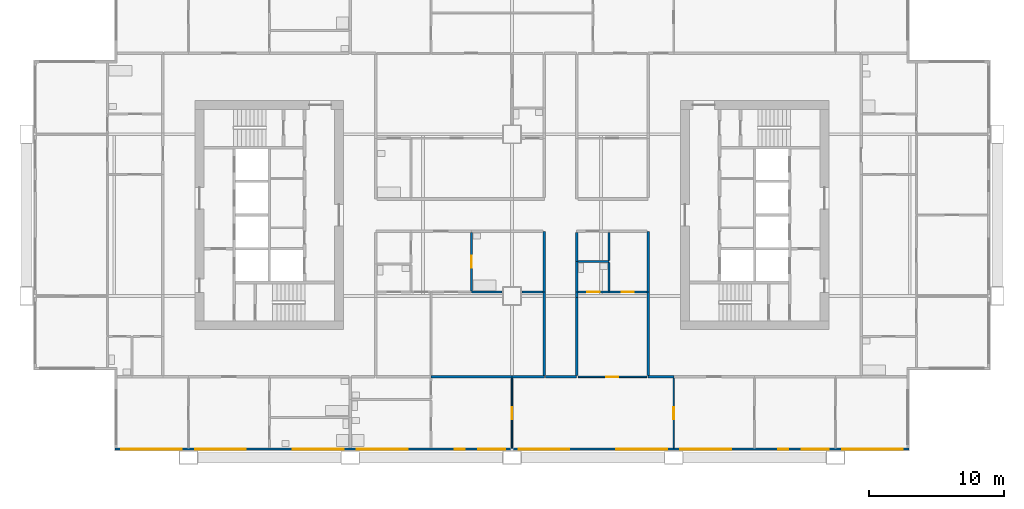
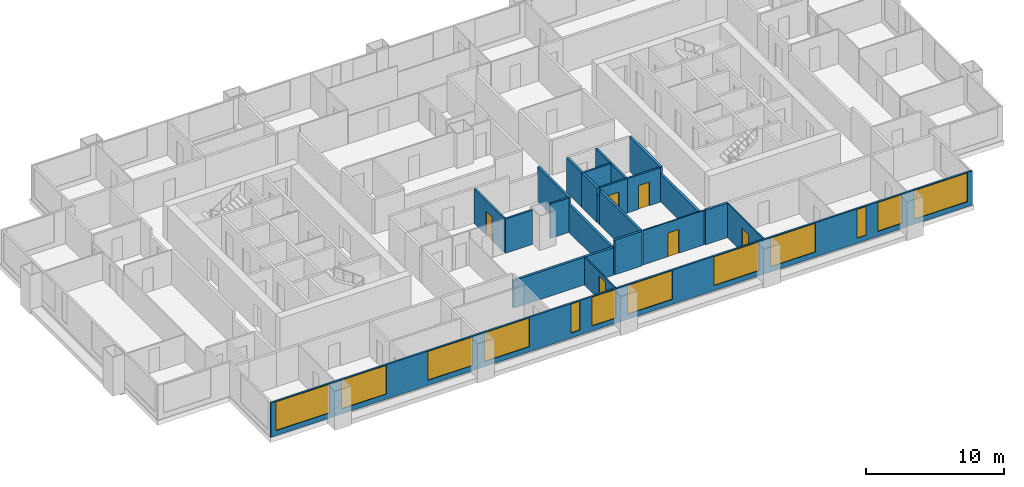
# One storey, part 5 of 11: 24 walls, 12 windows, 6 doors, 18 openings.
"""IFC4 building model written with IfcOpenShell, lengths in metres."""

from ifc_helpers import new_model, si_unit, direction, frame, frame_2d, origin, place, context, subcontext, project, spatial, rectangle, extrude, material, layer, layer_set, type_object, element, fill, save


model = new_model("IFC4")

# Units and contexts
model_context = context("Model", 3, precision=1e-05, world=origin(), true_north=direction((0.0, 1.0)))
body_context = subcontext(model_context, "Body", "Model", "MODEL_VIEW")
ifc_project = project(units=[si_unit("LENGTHUNIT", "METRE"), si_unit("AREAUNIT", "SQUARE_METRE"), si_unit("VOLUMEUNIT", "CUBIC_METRE"), si_unit("PLANEANGLEUNIT", "RADIAN"), si_unit("MASSUNIT", "GRAM", prefix="KILO")], contexts=[model_context])

# Site, building, storey
site_placement = place(None, origin())
site = spatial("IfcSite", under=ifc_project, at=site_placement, CompositionType="ELEMENT")
building_placement = place(site_placement, origin())
building = spatial("IfcBuilding", under=site, at=building_placement, Name="Kitamizu Gate Tower and Museum", CompositionType="ELEMENT")
storey_placement = place(building_placement, frame((0.0, 0.0, 141.449951171875)))
storey = spatial("IfcBuildingStorey", under=building, at=storey_placement, Name="L37", CompositionType="ELEMENT", Elevation=141.449951171875)

# Wall, opening, door
ifc_material_1 = material(Name="Gypsum board on galvanised stud")
ifc_layer_1 = layer(ifc_material_1, 0.10009765625)
ifc_layer_set_1 = layer_set([ifc_layer_1], Name="Gypsum board on galvanised stud")
wall_type_1 = type_object("IfcWallType", Name="Partition 100 NOT RATED", PredefinedType="PARTITIONING", material=ifc_layer_set_1)
wall_1_placement = place(storey_placement, frame((36.0, 12.719970703125, 0.0), z_axis=(0.0, 0.0, 1.0), x_axis=(0.0, 1.0, 0.0)))
wall_1 = element("IfcWall", 1, at=wall_1_placement, inside=storey, type_object=wall_type_1, Name="Partition L37-060", PredefinedType="PARTITIONING", context=body_context, shape_type="SweptSolid", body=[
    extrude(rectangle(XDim=5.179931640625, YDim=0.10009765625, at=frame_2d((2.58984375, 0.0))), origin(), (0.0, 0.0, 1.0), 2.449951171875),
])
opening_1_placement = place(wall_1_placement, frame((2.139892578125, 0.0, 0.0)))
opening_1 = element("IfcOpeningElement", 2, at=opening_1_placement, cuts=wall_1, Name="Opening L37-021", PredefinedType="OPENING", context=body_context, shape_type="SweptSolid", body=[
    extrude(rectangle(XDim=0.89990234375, YDim=2.10009765625, at=frame_2d((0.449951171875, 1.050048828125))), frame((0.0, 0.06005859375, 0.0), z_axis=(0.0, -1.0, 0.0), x_axis=(1.0, 0.0, 0.0)), (0.0, 0.0, 1.0), 0.1201171875),
])
ifc_material_2 = material(Name="Timber door set", Category="wood")
door_type_1 = type_object("IfcDoorType", Name="Room door 900", OperationType="NOTDEFINED", PredefinedType="DOOR", material=ifc_material_2)
door_1_placement = place(opening_1_placement, origin())
door_1 = element("IfcDoor", 3, at=door_1_placement, inside=storey, type_object=door_type_1, Name="Door L37-021", OperationType="SINGLE_SWING_LEFT", OverallHeight=2.10009765625, OverallWidth=0.89990234375, PredefinedType="DOOR", context=body_context, shape_type="SweptSolid", body=[
    extrude(rectangle(XDim=0.89990234375, YDim=2.10009765625, at=frame_2d((0.449951171875, 1.050048828125))), frame((0.0, 0.02490234375, 0.0), z_axis=(0.0, -1.0, 0.0), x_axis=(1.0, 0.0, 0.0)), (0.0, 0.0, 1.0), 0.050048828125),
])
fill(opening_1, door_1)

wall_2_placement = place(storey_placement, frame((48.0, 12.719970703125, 0.0), z_axis=(0.0, 0.0, 1.0), x_axis=(0.0, 1.0, 0.0)))
wall_2 = element("IfcWall", 4, at=wall_2_placement, inside=storey, type_object=wall_type_1, Name="Partition L37-061", PredefinedType="PARTITIONING", context=body_context, shape_type="SweptSolid", body=[
    extrude(rectangle(XDim=5.179931640625, YDim=0.10009765625, at=frame_2d((2.58984375, 0.0))), origin(), (0.0, 0.0, 1.0), 3.050048828125),
])
opening_2_placement = place(wall_2_placement, frame((2.139892578125, 0.0, 0.0)))
opening_2 = element("IfcOpeningElement", 5, at=opening_2_placement, cuts=wall_2, Name="Opening L37-020", PredefinedType="OPENING", context=body_context, shape_type="SweptSolid", body=[
    extrude(rectangle(XDim=0.89990234375, YDim=2.10009765625, at=frame_2d((0.449951171875, 1.050048828125))), frame((0.0, 0.06005859375, 0.0), z_axis=(0.0, -1.0, 0.0), x_axis=(1.0, 0.0, 0.0)), (0.0, 0.0, 1.0), 0.1201171875),
])
door_2_placement = place(opening_2_placement, origin())
door_2 = element("IfcDoor", 6, at=door_2_placement, inside=storey, type_object=door_type_1, Name="Door L37-020", OperationType="SINGLE_SWING_RIGHT", OverallHeight=2.10009765625, OverallWidth=0.89990234375, PredefinedType="DOOR", context=body_context, shape_type="SweptSolid", body=[
    extrude(rectangle(XDim=0.89990234375, YDim=2.10009765625, at=frame_2d((0.449951171875, 1.050048828125))), frame((0.0, 0.02490234375, 0.0), z_axis=(0.0, -1.0, 0.0), x_axis=(1.0, 0.0, 0.0)), (0.0, 0.0, 1.0), 0.050048828125),
])
fill(opening_2, door_2)

wall_3_placement = place(storey_placement, frame((46.0, 18.0, 0.0), z_axis=(0.0, 0.0, 1.0), x_axis=(-1.0, 0.0, 0.0)))
wall_3 = element("IfcWall", 7, at=wall_3_placement, inside=storey, type_object=wall_type_1, Name="Partition L37-062", PredefinedType="PARTITIONING", context=body_context, shape_type="SweptSolid", body=[
    extrude(rectangle(XDim=5.10009765625, YDim=0.10009765625, at=frame_2d((2.550048828125, 0.0))), origin(), (0.0, 0.0, 1.0), 3.050048828125),
])
opening_3_placement = place(wall_3_placement, frame((2.10009765625, 0.0, 0.0)))
opening_3 = element("IfcOpeningElement", 8, at=opening_3_placement, cuts=wall_3, Name="Opening L37-025", PredefinedType="OPENING", context=body_context, shape_type="SweptSolid", body=[
    extrude(rectangle(XDim=0.89990234375, YDim=2.10009765625, at=frame_2d((0.449951171875, 1.050048828125))), frame((0.0, 0.06005859375, 0.0), z_axis=(0.0, -1.0, 0.0), x_axis=(1.0, 0.0, 0.0)), (0.0, 0.0, 1.0), 0.1201171875),
])
door_3_placement = place(opening_3_placement, frame((0.89990234375, 0.0, 0.0), x_axis=(-1.0, 0.0, 0.0)))
door_3 = element("IfcDoor", 9, at=door_3_placement, inside=storey, type_object=door_type_1, Name="Door L37-025", OperationType="SINGLE_SWING_RIGHT", OverallHeight=2.10009765625, OverallWidth=0.89990234375, PredefinedType="DOOR", context=body_context, shape_type="SweptSolid", body=[
    extrude(rectangle(XDim=0.89990234375, YDim=2.10009765625, at=frame_2d((0.449951171875, 1.050048828125))), frame((0.0, 0.02490234375, 0.0), z_axis=(0.0, -1.0, 0.0), x_axis=(1.0, 0.0, 0.0)), (0.0, 0.0, 1.0), 0.050048828125),
])
fill(opening_3, door_3)

# Walls
ifc_material_3 = material(Name="Gypsum board on galvanised stud")
ifc_layer_2 = layer(ifc_material_3, 0.14990234375)
ifc_layer_set_2 = layer_set([ifc_layer_2], Name="Gypsum board on galvanised stud")
wall_type_2 = type_object("IfcWallType", Name="Partition 150", PredefinedType="PARTITIONING", material=ifc_layer_set_2)
wall_4_placement = place(storey_placement, frame((35.25, 24.300048828125, 0.0), z_axis=(0.0, 0.0, 1.0), x_axis=(-1.0, 0.0, 0.0)))
element("IfcWall", 10, at=wall_4_placement, inside=storey, type_object=wall_type_2, Name="Partition L37-040", PredefinedType="PARTITIONING", context=body_context, shape_type="SweptSolid", body=[
    extrude(rectangle(XDim=2.25, YDim=0.14990234375, at=frame_2d((1.125, 0.0))), origin(), (0.0, 0.0, 1.0), 3.050048828125),
])
wall_5_placement = place(storey_placement, frame((38.300048828125, 24.300048828125, 0.0), z_axis=(0.0, 0.0, 1.0), x_axis=(-1.0, 0.0, 0.0)))
element("IfcWall", 11, at=wall_5_placement, inside=storey, type_object=wall_type_2, Name="Partition L37-041", PredefinedType="PARTITIONING", context=body_context, shape_type="SweptSolid", body=[
    extrude(rectangle(XDim=1.550048828125, YDim=0.14990234375, at=frame_2d((0.77490234375, 0.0))), origin(), (0.0, 0.0, 1.0), 3.050048828125),
])

# Wall, opening, door
wall_6_placement = place(storey_placement, frame((33.0, 24.375, 0.0), z_axis=(0.0, 0.0, 1.0), x_axis=(0.0, 1.0, 0.0)))
wall_6 = element("IfcWall", 12, at=wall_6_placement, inside=storey, type_object=wall_type_2, Name="Partition L37-051", PredefinedType="PARTITIONING", context=body_context, shape_type="SweptSolid", body=[
    extrude(rectangle(XDim=4.324951171875, YDim=0.14990234375, at=frame_2d((2.16259765625, 0.0))), origin(), (0.0, 0.0, 1.0), 3.050048828125),
])
opening_4_placement = place(wall_6_placement, frame((1.71240234375, 0.0, 0.0)))
opening_4 = element("IfcOpeningElement", 13, at=opening_4_placement, cuts=wall_6, Name="Opening L37-018", PredefinedType="OPENING", context=body_context, shape_type="SweptSolid", body=[
    extrude(rectangle(XDim=0.89990234375, YDim=2.10009765625, at=frame_2d((0.449951171875, 1.050048828125))), frame((0.0, 0.0849609375, 0.0), z_axis=(0.0, -1.0, 0.0), x_axis=(1.0, 0.0, 0.0)), (0.0, 0.0, 1.0), 0.169921875),
])
ifc_material_4 = material(Name="Timber door set", Category="wood")
door_type_2 = type_object("IfcDoorType", Name="Bathroom door 900", OperationType="NOTDEFINED", PredefinedType="DOOR", material=ifc_material_4)
door_4_placement = place(opening_4_placement, frame((0.89990234375, 0.0, 0.0), x_axis=(-1.0, 0.0, 0.0)))
door_4 = element("IfcDoor", 14, at=door_4_placement, inside=storey, type_object=door_type_2, Name="Bathroom door L37-018", OperationType="SINGLE_SWING_LEFT", OverallHeight=2.10009765625, OverallWidth=0.89990234375, PredefinedType="DOOR", context=body_context, shape_type="SweptSolid", body=[
    extrude(rectangle(XDim=0.89990234375, YDim=2.10009765625, at=frame_2d((0.449951171875, 1.050048828125))), frame((0.0, 0.02490234375, 0.0), z_axis=(0.0, -1.0, 0.0), x_axis=(1.0, 0.0, 0.0)), (0.0, 0.0, 1.0), 0.050048828125),
])
fill(opening_4, door_4)

wall_7_placement = place(storey_placement, frame((43.199951171875, 24.300048828125, 0.0), z_axis=(0.0, 0.0, 1.0), x_axis=(-1.0, 0.0, 0.0)))
wall_7 = element("IfcWall", 15, at=wall_7_placement, inside=storey, type_object=wall_type_2, Name="Partition L37-071", PredefinedType="PARTITIONING", context=body_context, shape_type="SweptSolid", body=[
    extrude(rectangle(XDim=2.300048828125, YDim=0.14990234375, at=frame_2d((1.14990234375, 0.0))), origin(), (0.0, 0.0, 1.0), 3.050048828125),
])
opening_5_placement = place(wall_7_placement, frame((0.699951171875, 0.0, 0.0)))
opening_5 = element("IfcOpeningElement", 16, at=opening_5_placement, cuts=wall_7, Name="Opening L37-027", PredefinedType="OPENING", context=body_context, shape_type="SweptSolid", body=[
    extrude(rectangle(XDim=0.89990234375, YDim=2.10009765625, at=frame_2d((0.449951171875, 1.050048828125))), frame((0.0, 0.0849609375, 0.0), z_axis=(0.0, -1.0, 0.0), x_axis=(1.0, 0.0, 0.0)), (0.0, 0.0, 1.0), 0.169921875),
])
door_5_placement = place(opening_5_placement, frame((0.89990234375, 0.0, 0.0), x_axis=(-1.0, 0.0, 0.0)))
door_5 = element("IfcDoor", 17, at=door_5_placement, inside=storey, type_object=door_type_2, Name="Bathroom door L37-027", OperationType="SINGLE_SWING_RIGHT", OverallHeight=2.10009765625, OverallWidth=0.89990234375, PredefinedType="DOOR", context=body_context, shape_type="SweptSolid", body=[
    extrude(rectangle(XDim=0.89990234375, YDim=2.10009765625, at=frame_2d((0.449951171875, 1.050048828125))), frame((0.0, 0.02490234375, 0.0), z_axis=(0.0, -1.0, 0.0), x_axis=(1.0, 0.0, 0.0)), (0.0, 0.0, 1.0), 0.050048828125),
])
fill(opening_5, door_5)

wall_8_placement = place(storey_placement, frame((46.0, 24.300048828125, 0.0), z_axis=(0.0, 0.0, 1.0), x_axis=(-1.0, 0.0, 0.0)))
wall_8 = element("IfcWall", 18, at=wall_8_placement, inside=storey, type_object=wall_type_2, Name="Partition L37-072", PredefinedType="PARTITIONING", context=body_context, shape_type="SweptSolid", body=[
    extrude(rectangle(XDim=2.800048828125, YDim=0.14990234375, at=frame_2d((1.39990234375, 0.0))), origin(), (0.0, 0.0, 1.0), 3.050048828125),
])
opening_6_placement = place(wall_8_placement, frame((0.949951171875, 0.0, 0.0)))
opening_6 = element("IfcOpeningElement", 19, at=opening_6_placement, cuts=wall_8, Name="Opening L37-028", PredefinedType="OPENING", context=body_context, shape_type="SweptSolid", body=[
    extrude(rectangle(XDim=0.89990234375, YDim=2.10009765625, at=frame_2d((0.449951171875, 1.050048828125))), frame((0.0, 0.0849609375, 0.0), z_axis=(0.0, -1.0, 0.0), x_axis=(1.0, 0.0, 0.0)), (0.0, 0.0, 1.0), 0.169921875),
])
door_6_placement = place(opening_6_placement, frame((0.89990234375, 0.0, 0.0), x_axis=(-1.0, 0.0, 0.0)))
door_6 = element("IfcDoor", 20, at=door_6_placement, inside=storey, type_object=door_type_2, Name="Bathroom door L37-028", OperationType="SINGLE_SWING_LEFT", OverallHeight=2.10009765625, OverallWidth=0.89990234375, PredefinedType="DOOR", context=body_context, shape_type="SweptSolid", body=[
    extrude(rectangle(XDim=0.89990234375, YDim=2.10009765625, at=frame_2d((0.449951171875, 1.050048828125))), frame((0.0, 0.02490234375, 0.0), z_axis=(0.0, -1.0, 0.0), x_axis=(1.0, 0.0, 0.0)), (0.0, 0.0, 1.0), 0.050048828125),
])
fill(opening_6, door_6)

# Walls
wall_9_placement = place(storey_placement, frame((43.199951171875, 26.550048828125, 0.0), z_axis=(0.0, 0.0, 1.0), x_axis=(-1.0, 0.0, 0.0)))
element("IfcWall", 21, at=wall_9_placement, inside=storey, type_object=wall_type_2, Name="Partition L37-076", PredefinedType="PARTITIONING", context=body_context, shape_type="SweptSolid", body=[
    extrude(rectangle(XDim=2.300048828125, YDim=0.14990234375, at=frame_2d((1.14990234375, 0.0))), origin(), (0.0, 0.0, 1.0), 3.050048828125),
])
wall_10_placement = place(storey_placement, frame((43.199951171875, 24.375, 0.0), z_axis=(0.0, 0.0, 1.0), x_axis=(0.0, 1.0, 0.0)))
element("IfcWall", 22, at=wall_10_placement, inside=storey, type_object=wall_type_2, Name="Partition L37-077", PredefinedType="PARTITIONING", context=body_context, shape_type="SweptSolid", body=[
    extrude(rectangle(XDim=2.10009765625, YDim=0.14990234375, at=frame_2d((1.050048828125, 0.0))), origin(), (0.0, 0.0, 1.0), 3.050048828125),
])
wall_11_placement = place(storey_placement, frame((43.199951171875, 26.625, 0.0), z_axis=(0.0, 0.0, 1.0), x_axis=(0.0, 1.0, 0.0)))
element("IfcWall", 23, at=wall_11_placement, inside=storey, type_object=wall_type_2, Name="Partition L37-079", PredefinedType="PARTITIONING", context=body_context, shape_type="SweptSolid", body=[
    extrude(rectangle(XDim=2.074951171875, YDim=0.14990234375, at=frame_2d((1.03759765625, 0.0))), origin(), (0.0, 0.0, 1.0), 3.050048828125),
])
ifc_material_5 = material(Name="Gypsum board on galvanised stud")
ifc_layer_3 = layer(ifc_material_5, 0.199951171875)
ifc_layer_set_3 = layer_set([ifc_layer_3], Name="Gypsum board on galvanised stud")
wall_type_3 = type_object("IfcWallType", Name="Partition 200", PredefinedType="PARTITIONING", material=ifc_layer_set_3)
wall_12_placement = place(storey_placement, frame((30.0, 18.0, 0.0), z_axis=(0.0, 0.0, 1.0), x_axis=(1.0, 0.0, 0.0)))
element("IfcWall", 24, at=wall_12_placement, inside=storey, type_object=wall_type_3, Name="Partition L37-042", PredefinedType="PARTITIONING", context=body_context, shape_type="SweptSolid", body=[
    extrude(rectangle(XDim=6.0, YDim=0.199951171875, at=frame_2d((3.0, 0.0))), origin(), (0.0, 0.0, 1.0), 2.449951171875),
])
wall_13_placement = place(storey_placement, frame((36.0, 18.0, 0.0), z_axis=(0.0, 0.0, 1.0), x_axis=(1.0, 0.0, 0.0)))
element("IfcWall", 25, at=wall_13_placement, inside=storey, type_object=wall_type_3, Name="Partition L37-043", PredefinedType="PARTITIONING", context=body_context, shape_type="SweptSolid", body=[
    extrude(rectangle(XDim=2.39990234375, YDim=0.199951171875, at=frame_2d((1.199951171875, 0.0))), origin(), (0.0, 0.0, 1.0), 2.449951171875),
])
wall_14_placement = place(storey_placement, frame((38.39990234375, 18.10009765625, 0.0), z_axis=(0.0, 0.0, 1.0), x_axis=(0.0, 1.0, 0.0)))
element("IfcWall", 26, at=wall_14_placement, inside=storey, type_object=wall_type_3, Name="Partition L37-044", PredefinedType="PARTITIONING", context=body_context, shape_type="SweptSolid", body=[
    extrude(rectangle(XDim=6.199951171875, YDim=0.199951171875, at=frame_2d((3.10009765625, 0.0))), origin(), (0.0, 0.0, 1.0), 2.449951171875),
])
wall_15_placement = place(storey_placement, frame((38.39990234375, 24.300048828125, 0.0), z_axis=(0.0, 0.0, 1.0), x_axis=(0.0, 1.0, 0.0)))
element("IfcWall", 27, at=wall_15_placement, inside=storey, type_object=wall_type_3, Name="Partition L37-053", PredefinedType="PARTITIONING", context=body_context, shape_type="SweptSolid", body=[
    extrude(rectangle(XDim=4.5, YDim=0.199951171875, at=frame_2d((2.25, 0.0))), origin(), (0.0, 0.0, 1.0), 3.050048828125),
])
wall_16_placement = place(storey_placement, frame((40.800048828125, 18.0, 0.0), z_axis=(0.0, 0.0, 1.0), x_axis=(-1.0, 0.0, 0.0)))
element("IfcWall", 28, at=wall_16_placement, inside=storey, type_object=wall_type_3, Name="Partition L37-063", PredefinedType="PARTITIONING", context=body_context, shape_type="SweptSolid", body=[
    extrude(rectangle(XDim=2.300048828125, YDim=0.199951171875, at=frame_2d((1.14990234375, 0.0))), origin(), (0.0, 0.0, 1.0), 3.050048828125),
])
wall_17_placement = place(storey_placement, frame((48.0, 18.0, 0.0), z_axis=(0.0, 0.0, 1.0), x_axis=(-1.0, 0.0, 0.0)))
element("IfcWall", 29, at=wall_17_placement, inside=storey, type_object=wall_type_3, Name="Partition L37-064", PredefinedType="PARTITIONING", context=body_context, shape_type="SweptSolid", body=[
    extrude(rectangle(XDim=1.89990234375, YDim=0.199951171875, at=frame_2d((0.949951171875, 0.0))), origin(), (0.0, 0.0, 1.0), 3.050048828125),
])
wall_18_placement = place(storey_placement, frame((40.800048828125, 24.300048828125, 0.0), z_axis=(0.0, 0.0, 1.0), x_axis=(0.0, -1.0, 0.0)))
element("IfcWall", 30, at=wall_18_placement, inside=storey, type_object=wall_type_3, Name="Partition L37-073", PredefinedType="PARTITIONING", context=body_context, shape_type="SweptSolid", body=[
    extrude(rectangle(XDim=0.400146484375, YDim=0.199951171875, at=frame_2d((0.2001953125, 0.0))), origin(), (0.0, 0.0, 1.0), 2.449951171875),
])
wall_19_placement = place(storey_placement, frame((40.800048828125, 23.89990234375, 0.0), z_axis=(0.0, 0.0, 1.0), x_axis=(0.0, -1.0, 0.0)))
element("IfcWall", 31, at=wall_19_placement, inside=storey, type_object=wall_type_3, Name="Partition L37-074", PredefinedType="PARTITIONING", context=body_context, shape_type="SweptSolid", body=[
    extrude(rectangle(XDim=5.7998046875, YDim=0.199951171875, at=frame_2d((2.89990234375, 0.0))), origin(), (0.0, 0.0, 1.0), 3.050048828125),
])
wall_20_placement = place(storey_placement, frame((46.10009765625, 18.10009765625, 0.0), z_axis=(0.0, 0.0, 1.0), x_axis=(0.0, 1.0, 0.0)))
element("IfcWall", 32, at=wall_20_placement, inside=storey, type_object=wall_type_3, Name="Partition L37-075", PredefinedType="PARTITIONING", context=body_context, shape_type="SweptSolid", body=[
    extrude(rectangle(XDim=6.199951171875, YDim=0.199951171875, at=frame_2d((3.10009765625, 0.0))), origin(), (0.0, 0.0, 1.0), 2.449951171875),
])
wall_21_placement = place(storey_placement, frame((40.800048828125, 26.550048828125, 0.0), z_axis=(0.0, 0.0, 1.0), x_axis=(0.0, -1.0, 0.0)))
element("IfcWall", 33, at=wall_21_placement, inside=storey, type_object=wall_type_3, Name="Partition L37-078", PredefinedType="PARTITIONING", context=body_context, shape_type="SweptSolid", body=[
    extrude(rectangle(XDim=2.25, YDim=0.199951171875, at=frame_2d((1.125, 0.0))), origin(), (0.0, 0.0, 1.0), 3.050048828125),
])
wall_22_placement = place(storey_placement, frame((40.800048828125, 28.699951171875, 0.0), z_axis=(0.0, 0.0, 1.0), x_axis=(0.0, -1.0, 0.0)))
element("IfcWall", 34, at=wall_22_placement, inside=storey, type_object=wall_type_3, Name="Partition L37-081", PredefinedType="PARTITIONING", context=body_context, shape_type="SweptSolid", body=[
    extrude(rectangle(XDim=2.14990234375, YDim=0.199951171875, at=frame_2d((1.074951171875, 0.0))), origin(), (0.0, 0.0, 1.0), 3.050048828125),
])
wall_23_placement = place(storey_placement, frame((46.10009765625, 24.300048828125, 0.0), z_axis=(0.0, 0.0, 1.0), x_axis=(0.0, 1.0, 0.0)))
element("IfcWall", 35, at=wall_23_placement, inside=storey, type_object=wall_type_3, Name="Partition L37-082", PredefinedType="PARTITIONING", context=body_context, shape_type="SweptSolid", body=[
    extrude(rectangle(XDim=4.5, YDim=0.199951171875, at=frame_2d((2.25, 0.0))), origin(), (0.0, 0.0, 1.0), 3.050048828125),
])

# Wall, openings, windows
ifc_material_6 = material(Name="Bronze anodised aluminium frame with insulated spandrel and tinted glass", Category="aluminium")
ifc_layer_4 = layer(ifc_material_6, 0.14990234375)
ifc_layer_set_4 = layer_set([ifc_layer_4], Name="Bronze anodised aluminium frame with insulated spandrel and tinted glass")
wall_type_4 = type_object("IfcWallType", Name="WINDOW WALL 150 BRONZE FRAME EI 30", PredefinedType="ELEMENTEDWALL", material=ifc_layer_set_4)
wall_24_placement = place(storey_placement, frame((6.56005859375, 12.635009765625, 0.0), z_axis=(0.0, 0.0, 1.0), x_axis=(1.0, 0.0, 0.0)))
wall_24 = element("IfcWall", 36, at=wall_24_placement, inside=storey, type_object=wall_type_4, Name="Window wall south L37", PredefinedType="ELEMENTEDWALL", context=body_context, shape_type="SweptSolid", body=[
    extrude(rectangle(XDim=58.8798828125, YDim=0.14990234375, at=frame_2d((29.43994140625, 0.0))), origin(), (0.0, 0.0, 1.0), 3.050048828125),
])
opening_7_placement = place(wall_24_placement, frame((0.43994140625, 0.0, 0.449951171875)))
opening_7 = element("IfcOpeningElement", 37, at=opening_7_placement, cuts=wall_24, Name="Opening W15", PredefinedType="OPENING", context=body_context, shape_type="SweptSolid", body=[
    extrude(rectangle(XDim=4.5, YDim=2.550048828125, at=frame_2d((2.25, 1.27490234375))), frame((0.0, 0.0849609375, 0.0), z_axis=(0.0, -1.0, 0.0), x_axis=(1.0, 0.0, 0.0)), (0.0, 0.0, 1.0), 0.169921875),
])
opening_8_placement = place(wall_24_placement, frame((5.93994140625, 0.0, 0.449951171875)))
opening_8 = element("IfcOpeningElement", 38, at=opening_8_placement, cuts=wall_24, Name="Opening W36", PredefinedType="OPENING", context=body_context, shape_type="SweptSolid", body=[
    extrude(rectangle(XDim=3.75, YDim=2.550048828125, at=frame_2d((1.875, 1.27490234375))), frame((0.0, 0.0849609375, 0.0), z_axis=(0.0, -1.0, 0.0), x_axis=(1.0, 0.0, 0.0)), (0.0, 0.0, 1.0), 0.169921875),
])
opening_9_placement = place(wall_24_placement, frame((13.18994140625, 0.0, 0.449951171875)))
opening_9 = element("IfcOpeningElement", 39, at=opening_9_placement, cuts=wall_24, Name="Opening W36", PredefinedType="OPENING", context=body_context, shape_type="SweptSolid", body=[
    extrude(rectangle(XDim=3.75, YDim=2.550048828125, at=frame_2d((1.875, 1.27490234375))), frame((0.0, 0.0849609375, 0.0), z_axis=(0.0, -1.0, 0.0), x_axis=(1.0, 0.0, 0.0)), (0.0, 0.0, 1.0), 0.169921875),
])
opening_10_placement = place(wall_24_placement, frame((17.93994140625, 0.0, 0.449951171875)))
opening_10 = element("IfcOpeningElement", 40, at=opening_10_placement, cuts=wall_24, Name="Opening W36", PredefinedType="OPENING", context=body_context, shape_type="SweptSolid", body=[
    extrude(rectangle(XDim=3.75, YDim=2.550048828125, at=frame_2d((1.875, 1.27490234375))), frame((0.0, 0.0849609375, 0.0), z_axis=(0.0, -1.0, 0.0), x_axis=(1.0, 0.0, 0.0)), (0.0, 0.0, 1.0), 0.169921875),
])
opening_11_placement = place(wall_24_placement, frame((25.18994140625, 0.0, 0.449951171875)))
opening_11 = element("IfcOpeningElement", 41, at=opening_11_placement, cuts=wall_24, Name="Opening W25", PredefinedType="OPENING", context=body_context, shape_type="SweptSolid", body=[
    extrude(rectangle(XDim=0.75, YDim=2.550048828125, at=frame_2d((0.375, 1.27490234375))), frame((0.0, 0.0849609375, 0.0), z_axis=(0.0, -1.0, 0.0), x_axis=(1.0, 0.0, 0.0)), (0.0, 0.0, 1.0), 0.169921875),
])
opening_12_placement = place(wall_24_placement, frame((26.93994140625, 0.0, 0.449951171875)))
opening_12 = element("IfcOpeningElement", 42, at=opening_12_placement, cuts=wall_24, Name="Opening W2", PredefinedType="OPENING", context=body_context, shape_type="SweptSolid", body=[
    extrude(rectangle(XDim=2.0, YDim=2.550048828125, at=frame_2d((1.0, 1.27490234375))), frame((0.0, 0.0849609375, 0.0), z_axis=(0.0, -1.0, 0.0), x_axis=(1.0, 0.0, 0.0)), (0.0, 0.0, 1.0), 0.169921875),
])
opening_13_placement = place(wall_24_placement, frame((29.93994140625, 0.0, 0.449951171875)))
opening_13 = element("IfcOpeningElement", 43, at=opening_13_placement, cuts=wall_24, Name="Opening W36", PredefinedType="OPENING", context=body_context, shape_type="SweptSolid", body=[
    extrude(rectangle(XDim=3.75, YDim=2.550048828125, at=frame_2d((1.875, 1.27490234375))), frame((0.0, 0.0849609375, 0.0), z_axis=(0.0, -1.0, 0.0), x_axis=(1.0, 0.0, 0.0)), (0.0, 0.0, 1.0), 0.169921875),
])
opening_14_placement = place(wall_24_placement, frame((37.18994140625, 0.0, 0.449951171875)))
opening_14 = element("IfcOpeningElement", 44, at=opening_14_placement, cuts=wall_24, Name="Opening W36", PredefinedType="OPENING", context=body_context, shape_type="SweptSolid", body=[
    extrude(rectangle(XDim=3.75, YDim=2.550048828125, at=frame_2d((1.875, 1.27490234375))), frame((0.0, 0.0849609375, 0.0), z_axis=(0.0, -1.0, 0.0), x_axis=(1.0, 0.0, 0.0)), (0.0, 0.0, 1.0), 0.169921875),
])
opening_15_placement = place(wall_24_placement, frame((41.93994140625, 0.0, 0.449951171875)))
opening_15 = element("IfcOpeningElement", 45, at=opening_15_placement, cuts=wall_24, Name="Opening W36", PredefinedType="OPENING", context=body_context, shape_type="SweptSolid", body=[
    extrude(rectangle(XDim=3.75, YDim=2.550048828125, at=frame_2d((1.875, 1.27490234375))), frame((0.0, 0.0849609375, 0.0), z_axis=(0.0, -1.0, 0.0), x_axis=(1.0, 0.0, 0.0)), (0.0, 0.0, 1.0), 0.169921875),
])
opening_16_placement = place(wall_24_placement, frame((49.18994140625, 0.0, 0.449951171875)))
opening_16 = element("IfcOpeningElement", 46, at=opening_16_placement, cuts=wall_24, Name="Opening W25", PredefinedType="OPENING", context=body_context, shape_type="SweptSolid", body=[
    extrude(rectangle(XDim=0.75, YDim=2.550048828125, at=frame_2d((0.375, 1.27490234375))), frame((0.0, 0.0849609375, 0.0), z_axis=(0.0, -1.0, 0.0), x_axis=(1.0, 0.0, 0.0)), (0.0, 0.0, 1.0), 0.169921875),
])
opening_17_placement = place(wall_24_placement, frame((50.93994140625, 0.0, 0.449951171875)))
opening_17 = element("IfcOpeningElement", 47, at=opening_17_placement, cuts=wall_24, Name="Opening W2", PredefinedType="OPENING", context=body_context, shape_type="SweptSolid", body=[
    extrude(rectangle(XDim=2.0, YDim=2.550048828125, at=frame_2d((1.0, 1.27490234375))), frame((0.0, 0.0849609375, 0.0), z_axis=(0.0, -1.0, 0.0), x_axis=(1.0, 0.0, 0.0)), (0.0, 0.0, 1.0), 0.169921875),
])
opening_18_placement = place(wall_24_placement, frame((53.93994140625, 0.0, 0.449951171875)))
opening_18 = element("IfcOpeningElement", 48, at=opening_18_placement, cuts=wall_24, Name="Opening W15", PredefinedType="OPENING", context=body_context, shape_type="SweptSolid", body=[
    extrude(rectangle(XDim=4.5, YDim=2.550048828125, at=frame_2d((2.25, 1.27490234375))), frame((0.0, 0.0849609375, 0.0), z_axis=(0.0, -1.0, 0.0), x_axis=(1.0, 0.0, 0.0)), (0.0, 0.0, 1.0), 0.169921875),
])
ifc_material_7 = material(Name="Bronze anodised aluminium frame, tinted triple glazing", Category="aluminium")
window_type_1 = type_object("IfcWindowType", Name="WINDOW 2000 x 2550 SILL 450", PartitioningType="SINGLE_PANEL", PredefinedType="WINDOW", material=ifc_material_7)
window_1_placement = place(opening_12_placement, origin())
window_1 = element("IfcWindow", 49, at=window_1_placement, inside=storey, type_object=window_type_1, Name="Window W2 L37", OverallHeight=2.550048828125, OverallWidth=2.0, PartitioningType="SINGLE_PANEL", PredefinedType="WINDOW", context=body_context, shape_type="SweptSolid", body=[
    extrude(rectangle(XDim=2.0, YDim=2.550048828125, at=frame_2d((1.0, 1.27490234375))), frame((0.0, 0.030029296875, 0.0), z_axis=(0.0, -1.0, 0.0), x_axis=(1.0, 0.0, 0.0)), (0.0, 0.0, 1.0), 0.06005859375),
])
fill(opening_12, window_1)
window_2_placement = place(opening_17_placement, origin())
window_2 = element("IfcWindow", 50, at=window_2_placement, inside=storey, type_object=window_type_1, Name="Window W2 L37", OverallHeight=2.550048828125, OverallWidth=2.0, PartitioningType="SINGLE_PANEL", PredefinedType="WINDOW", context=body_context, shape_type="SweptSolid", body=[
    extrude(rectangle(XDim=2.0, YDim=2.550048828125, at=frame_2d((1.0, 1.27490234375))), frame((0.0, 0.030029296875, 0.0), z_axis=(0.0, -1.0, 0.0), x_axis=(1.0, 0.0, 0.0)), (0.0, 0.0, 1.0), 0.06005859375),
])
fill(opening_17, window_2)
ifc_material_8 = material(Name="Bronze anodised aluminium frame, tinted triple glazing", Category="aluminium")
window_type_2 = type_object("IfcWindowType", Name="WINDOW 3750 x 2550 SILL 450", PartitioningType="SINGLE_PANEL", PredefinedType="WINDOW", material=ifc_material_8)
window_3_placement = place(opening_8_placement, origin())
window_3 = element("IfcWindow", 51, at=window_3_placement, inside=storey, type_object=window_type_2, Name="Window W36 L37", OverallHeight=2.550048828125, OverallWidth=3.75, PartitioningType="SINGLE_PANEL", PredefinedType="WINDOW", context=body_context, shape_type="SweptSolid", body=[
    extrude(rectangle(XDim=3.75, YDim=2.550048828125, at=frame_2d((1.875, 1.27490234375))), frame((0.0, 0.030029296875, 0.0), z_axis=(0.0, -1.0, 0.0), x_axis=(1.0, 0.0, 0.0)), (0.0, 0.0, 1.0), 0.06005859375),
])
fill(opening_8, window_3)
window_4_placement = place(opening_9_placement, origin())
window_4 = element("IfcWindow", 52, at=window_4_placement, inside=storey, type_object=window_type_2, Name="Window W36 L37", OverallHeight=2.550048828125, OverallWidth=3.75, PartitioningType="SINGLE_PANEL", PredefinedType="WINDOW", context=body_context, shape_type="SweptSolid", body=[
    extrude(rectangle(XDim=3.75, YDim=2.550048828125, at=frame_2d((1.875, 1.27490234375))), frame((0.0, 0.030029296875, 0.0), z_axis=(0.0, -1.0, 0.0), x_axis=(1.0, 0.0, 0.0)), (0.0, 0.0, 1.0), 0.06005859375),
])
fill(opening_9, window_4)
window_5_placement = place(opening_10_placement, origin())
window_5 = element("IfcWindow", 53, at=window_5_placement, inside=storey, type_object=window_type_2, Name="Window W36 L37", OverallHeight=2.550048828125, OverallWidth=3.75, PartitioningType="SINGLE_PANEL", PredefinedType="WINDOW", context=body_context, shape_type="SweptSolid", body=[
    extrude(rectangle(XDim=3.75, YDim=2.550048828125, at=frame_2d((1.875, 1.27490234375))), frame((0.0, 0.030029296875, 0.0), z_axis=(0.0, -1.0, 0.0), x_axis=(1.0, 0.0, 0.0)), (0.0, 0.0, 1.0), 0.06005859375),
])
fill(opening_10, window_5)
window_6_placement = place(opening_13_placement, origin())
window_6 = element("IfcWindow", 54, at=window_6_placement, inside=storey, type_object=window_type_2, Name="Window W36 L37", OverallHeight=2.550048828125, OverallWidth=3.75, PartitioningType="SINGLE_PANEL", PredefinedType="WINDOW", context=body_context, shape_type="SweptSolid", body=[
    extrude(rectangle(XDim=3.75, YDim=2.550048828125, at=frame_2d((1.875, 1.27490234375))), frame((0.0, 0.030029296875, 0.0), z_axis=(0.0, -1.0, 0.0), x_axis=(1.0, 0.0, 0.0)), (0.0, 0.0, 1.0), 0.06005859375),
])
fill(opening_13, window_6)
window_7_placement = place(opening_14_placement, origin())
window_7 = element("IfcWindow", 55, at=window_7_placement, inside=storey, type_object=window_type_2, Name="Window W36 L37", OverallHeight=2.550048828125, OverallWidth=3.75, PartitioningType="SINGLE_PANEL", PredefinedType="WINDOW", context=body_context, shape_type="SweptSolid", body=[
    extrude(rectangle(XDim=3.75, YDim=2.550048828125, at=frame_2d((1.875, 1.27490234375))), frame((0.0, 0.030029296875, 0.0), z_axis=(0.0, -1.0, 0.0), x_axis=(1.0, 0.0, 0.0)), (0.0, 0.0, 1.0), 0.06005859375),
])
fill(opening_14, window_7)
window_8_placement = place(opening_15_placement, origin())
window_8 = element("IfcWindow", 56, at=window_8_placement, inside=storey, type_object=window_type_2, Name="Window W36 L37", OverallHeight=2.550048828125, OverallWidth=3.75, PartitioningType="SINGLE_PANEL", PredefinedType="WINDOW", context=body_context, shape_type="SweptSolid", body=[
    extrude(rectangle(XDim=3.75, YDim=2.550048828125, at=frame_2d((1.875, 1.27490234375))), frame((0.0, 0.030029296875, 0.0), z_axis=(0.0, -1.0, 0.0), x_axis=(1.0, 0.0, 0.0)), (0.0, 0.0, 1.0), 0.06005859375),
])
fill(opening_15, window_8)
ifc_material_9 = material(Name="Bronze anodised aluminium frame, tinted triple glazing", Category="aluminium")
window_type_3 = type_object("IfcWindowType", Name="WINDOW 4500 x 2550 SILL 450", PartitioningType="SINGLE_PANEL", PredefinedType="WINDOW", material=ifc_material_9)
window_9_placement = place(opening_7_placement, origin())
window_9 = element("IfcWindow", 57, at=window_9_placement, inside=storey, type_object=window_type_3, Name="Window W15 L37", OverallHeight=2.550048828125, OverallWidth=4.5, PartitioningType="SINGLE_PANEL", PredefinedType="WINDOW", context=body_context, shape_type="SweptSolid", body=[
    extrude(rectangle(XDim=4.5, YDim=2.550048828125, at=frame_2d((2.25, 1.27490234375))), frame((0.0, 0.030029296875, 0.0), z_axis=(0.0, -1.0, 0.0), x_axis=(1.0, 0.0, 0.0)), (0.0, 0.0, 1.0), 0.06005859375),
])
fill(opening_7, window_9)
window_10_placement = place(opening_18_placement, origin())
window_10 = element("IfcWindow", 58, at=window_10_placement, inside=storey, type_object=window_type_3, Name="Window W15 L37", OverallHeight=2.550048828125, OverallWidth=4.5, PartitioningType="SINGLE_PANEL", PredefinedType="WINDOW", context=body_context, shape_type="SweptSolid", body=[
    extrude(rectangle(XDim=4.5, YDim=2.550048828125, at=frame_2d((2.25, 1.27490234375))), frame((0.0, 0.030029296875, 0.0), z_axis=(0.0, -1.0, 0.0), x_axis=(1.0, 0.0, 0.0)), (0.0, 0.0, 1.0), 0.06005859375),
])
fill(opening_18, window_10)
ifc_material_10 = material(Name="Bronze anodised aluminium frame, tinted triple glazing", Category="aluminium")
window_type_4 = type_object("IfcWindowType", Name="WINDOW 750 x 2550 SILL 450", PartitioningType="SINGLE_PANEL", PredefinedType="WINDOW", material=ifc_material_10)
window_11_placement = place(opening_11_placement, origin())
window_11 = element("IfcWindow", 59, at=window_11_placement, inside=storey, type_object=window_type_4, Name="Window W25 L37", OverallHeight=2.550048828125, OverallWidth=0.75, PartitioningType="SINGLE_PANEL", PredefinedType="WINDOW", context=body_context, shape_type="SweptSolid", body=[
    extrude(rectangle(XDim=0.75, YDim=2.550048828125, at=frame_2d((0.375, 1.27490234375))), frame((0.0, 0.030029296875, 0.0), z_axis=(0.0, -1.0, 0.0), x_axis=(1.0, 0.0, 0.0)), (0.0, 0.0, 1.0), 0.06005859375),
])
fill(opening_11, window_11)
window_12_placement = place(opening_16_placement, origin())
window_12 = element("IfcWindow", 60, at=window_12_placement, inside=storey, type_object=window_type_4, Name="Window W25 L37", OverallHeight=2.550048828125, OverallWidth=0.75, PartitioningType="SINGLE_PANEL", PredefinedType="WINDOW", context=body_context, shape_type="SweptSolid", body=[
    extrude(rectangle(XDim=0.75, YDim=2.550048828125, at=frame_2d((0.375, 1.27490234375))), frame((0.0, 0.030029296875, 0.0), z_axis=(0.0, -1.0, 0.0), x_axis=(1.0, 0.0, 0.0)), (0.0, 0.0, 1.0), 0.06005859375),
])
fill(opening_16, window_12)

save(model, "model.ifc")
